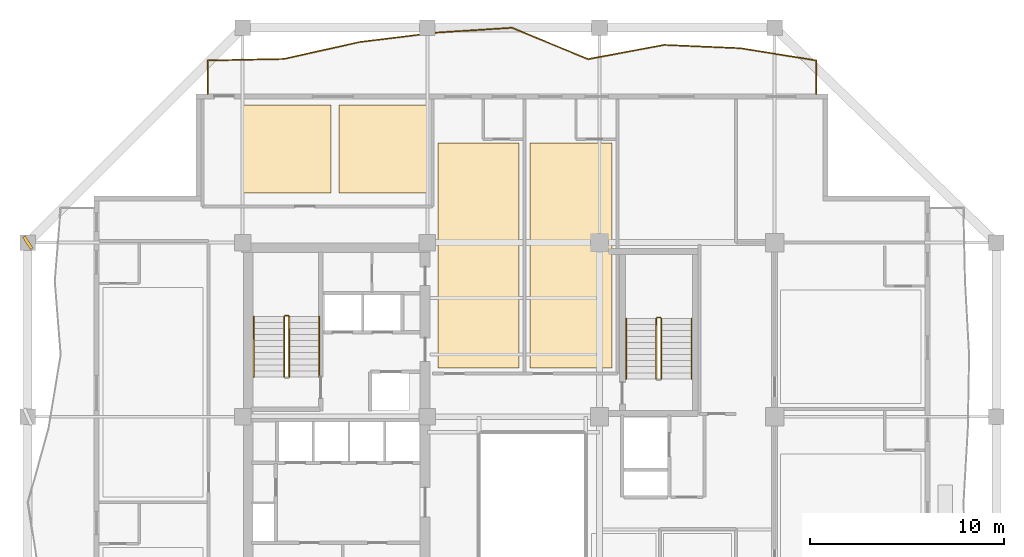
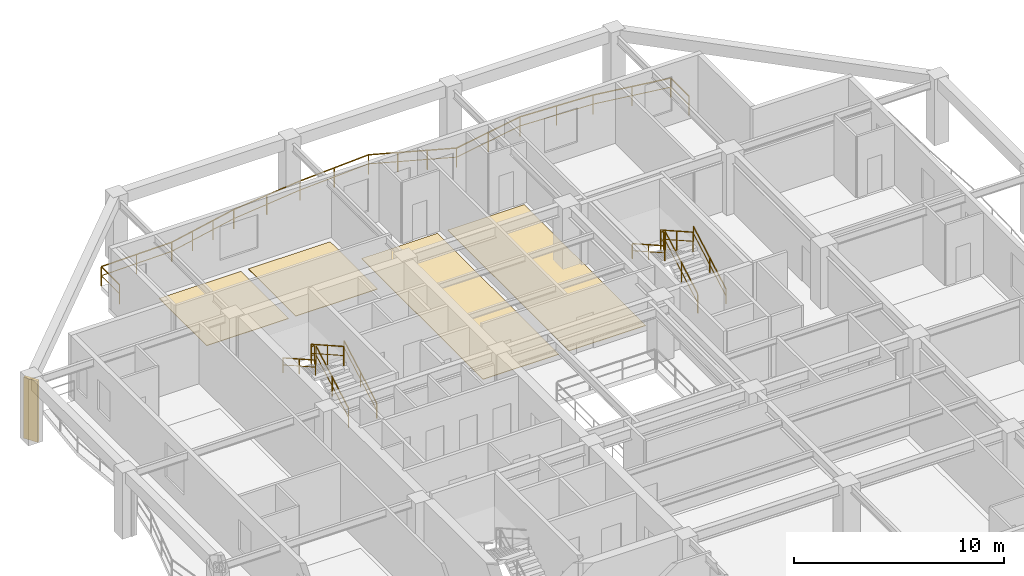
# One storey, part 10 of 12: 11 railings, 4 coverings, 1 shading device.
"""IFC4 building model written with IfcOpenShell, lengths in metres."""

import ifcopenshell
import ifcopenshell.guid

model = None  # the IFC model being written
_history = None  # IfcOwnerHistory: only IFC2X3 demands one
_inside = {}  # id of a spatial element -> (the spatial element, [elements in it])
_under = {}  # id of a project, library or spatial element -> (it, [spatial elements below it])
_declared = {}  # id of a project -> (the project, [libraries it declares])
_typed = {}  # id of a type object -> (the type object, [elements of that type])
_made_of = {}  # id of a material, layer set ... -> (it, [elements and type objects made of it])


def new_model(schema):
    """Start an empty IFC model of exactly this schema.

    Asked for "IFC4X3", IfcOpenShell would pick the latest addendum, in which some entities
    have other attributes; the version numbers below select the first issue.
    IFC2X3 requires an IfcOwnerHistory on every rooted entity: one is made here for all.
    """
    global model, _history
    if schema == "IFC4X3":
        model = ifcopenshell.file(schema_version=(4, 3, 0, 0))
    else:
        model = ifcopenshell.file(schema=schema)
    _inside.clear()
    _under.clear()
    _declared.clear()
    _typed.clear()
    _made_of.clear()
    _history = None
    if model.schema == "IFC2X3":
        org = make("IfcOrganization", Name="unknown")
        user = make(
            "IfcPersonAndOrganization",
            ThePerson=make("IfcPerson", FamilyName="unknown"),
            TheOrganization=org,
        )
        app = make(
            "IfcApplication",
            ApplicationDeveloper=org,
            Version="unknown",
            ApplicationFullName="unknown",
            ApplicationIdentifier="unknown",
        )
        _history = make(
            "IfcOwnerHistory",
            OwningUser=user,
            OwningApplication=app,
            ChangeAction="ADDED",
            CreationDate=0,
        )
    return model


def make(cls, **values):
    """One entity of the class cls with the attributes given. An attribute that is None is left unset."""
    return model.create_entity(
        cls, **{name: value for name, value in values.items() if value is not None}
    )


def rooted(cls, **values):
    """An entity with a GlobalId (a new one), such as an element, a storey or a relation."""
    return make(cls, GlobalId=ifcopenshell.guid.new(), OwnerHistory=_history, **values)


def si_unit(unit_type, name, prefix=None):
    """IfcSIUnit, for example si_unit("LENGTHUNIT", "METRE", prefix="MILLI")."""
    return make("IfcSIUnit", UnitType=unit_type, Prefix=prefix, Name=name)


def assignment(units):
    """IfcUnitAssignment: the units of a project."""
    return None if units is None else make("IfcUnitAssignment", Units=units)


def point(xyz):
    """IfcCartesianPoint."""
    return None if xyz is None else make("IfcCartesianPoint", Coordinates=xyz)


def direction(xyz):
    """IfcDirection."""
    return None if xyz is None else make("IfcDirection", DirectionRatios=xyz)


def frame(location, z_axis=None, x_axis=None):
    """IfcAxis2Placement3D, a coordinate frame: its origin and axes. An axis left out is left unset."""
    return make(
        "IfcAxis2Placement3D",
        Location=point(location),
        Axis=direction(z_axis),
        RefDirection=direction(x_axis),
    )


def frame_2d(location, x_axis=None):
    """IfcAxis2Placement2D, a coordinate frame in the plane: its origin and x axis."""
    return make(
        "IfcAxis2Placement2D", Location=point(location), RefDirection=direction(x_axis)
    )


def origin():
    """The frame at (0, 0, 0) with its axes left unset."""
    return frame((0.0, 0.0, 0.0))


def origin_2d():
    """The frame at (0, 0) in the plane with its x axis left unset."""
    return frame_2d((0.0, 0.0))


def place(relative_to, where):
    """IfcLocalPlacement: puts the frame where relative to a parent placement (None: the world)."""
    return make(
        "IfcLocalPlacement", PlacementRelTo=relative_to, RelativePlacement=where
    )


def context(
    kind, dimensions, precision=None, world=None, true_north=None, identifier=None
):
    """IfcGeometricRepresentationContext, for example the 3D "Model" context."""
    return make(
        "IfcGeometricRepresentationContext",
        ContextIdentifier=identifier,
        ContextType=kind,
        CoordinateSpaceDimension=dimensions,
        Precision=precision,
        WorldCoordinateSystem=world,
        TrueNorth=true_north,
    )


def subcontext(parent, identifier, kind, view, scale=None):
    """IfcGeometricRepresentationSubContext, for example "Body" below "Model"."""
    return make(
        "IfcGeometricRepresentationSubContext",
        ContextIdentifier=identifier,
        ContextType=kind,
        ParentContext=parent,
        TargetScale=scale,
        TargetView=view,
    )


def project(units=None, contexts=None):
    """IfcProject with its units and contexts."""
    return rooted(
        "IfcProject",
        Name="project",
        RepresentationContexts=contexts,
        UnitsInContext=assignment(units),
    )


def spatial(cls, under=None, at=None, **own):
    """A site, building, storey or space (cls), placed at a placement, below another one or the project."""
    s = rooted(cls, ObjectPlacement=at, **own)
    if under is not None:
        _under.setdefault(under.id(), (under, []))[1].append(s)
    return s


def polyline(points):
    """IfcPolyline through the points."""
    return make("IfcPolyline", Points=[point(p) for p in points])


def profile(cls, at=None, kind="AREA", **sizes):
    """A parametric profile (cls). Its sizes go by their IFC names, for example OverallWidth=200.0."""
    return make(cls, ProfileType=kind, Position=at, **sizes)


def rectangle(**sizes):
    """IfcRectangleProfileDef."""
    return profile("IfcRectangleProfileDef", **sizes)


def outline(outer, holes=None, kind="AREA"):
    """IfcArbitraryClosedProfileDef: a profile drawn as a closed curve; with holes, ...WithVoids."""
    if holes is None:
        return make("IfcArbitraryClosedProfileDef", ProfileType=kind, OuterCurve=outer)
    return make(
        "IfcArbitraryProfileDefWithVoids",
        ProfileType=kind,
        OuterCurve=outer,
        InnerCurves=holes,
    )


def extrude(swept, where, along, depth):
    """IfcExtrudedAreaSolid: the profile swept, set in the frame where, extruded along a direction by depth."""
    return make(
        "IfcExtrudedAreaSolid",
        SweptArea=swept,
        Position=where,
        ExtrudedDirection=direction(along),
        Depth=depth,
    )


def shape(context_of_items, identifier, shape_type, items):
    """IfcShapeRepresentation: the items that make up one representation, for example the "Body"."""
    return make(
        "IfcShapeRepresentation",
        ContextOfItems=context_of_items,
        RepresentationIdentifier=identifier,
        RepresentationType=shape_type,
        Items=items,
    )


def material(Name=None, Category=None):
    """IfcMaterial."""
    return make("IfcMaterial", Name=Name, Category=Category)


def layer(
    of_material, thickness, ventilated=None, Name=None, Category=None, Priority=None
):
    """IfcMaterialLayer: one layer of a wall or slab, of a material (None: an air gap)."""
    return make(
        "IfcMaterialLayer",
        Material=of_material,
        LayerThickness=thickness,
        IsVentilated=ventilated,
        Name=Name,
        Category=Category,
        Priority=Priority,
    )


def layer_set(layers, Name=None):
    """IfcMaterialLayerSet."""
    return make("IfcMaterialLayerSet", MaterialLayers=layers, LayerSetName=Name)


def made_of(thing, what):
    """Note that an element or type object is made of a material, layer set ...; save() writes the relation."""
    if what is not None:
        _made_of.setdefault(what.id(), (what, []))[1].append(thing)
    return thing


def type_object(cls, material=None, **own):
    """A type object (cls), such as IfcWallType, which elements share."""
    return made_of(rooted(cls, **own), material)


def element(
    cls,
    number,
    at=None,
    inside=None,
    cuts=None,
    type_object=None,
    material=None,
    context=None,
    identifier="Body",
    shape_type=None,
    held_by="IfcProductDefinitionShape",
    body=None,
    shapes=None,
    **own,
):
    """One element of the class cls, such as IfcWall. Its Tag is "e" and its number.

    at: its placement. inside: the storey or other place that contains it. cuts: it is an
    opening in that element (IfcRelVoidsElement). A single representation is given by context,
    identifier, shape_type and body (its items); several are given by shapes. held_by: the class
    of the entity that holds the representations. save() writes the other relations.
    """
    e = rooted(cls, Tag="e%d" % number, ObjectPlacement=at, **own)
    if body is not None:
        shapes = [shape(context, identifier, shape_type, body)]
    if shapes is not None:
        e.Representation = make(held_by, Representations=shapes)
    if inside is not None:
        _inside.setdefault(inside.id(), (inside, []))[1].append(e)
    if cuts is not None:
        rooted(
            "IfcRelVoidsElement", RelatingBuildingElement=cuts, RelatedOpeningElement=e
        )
    if type_object is not None:
        _typed.setdefault(type_object.id(), (type_object, []))[1].append(e)
    return made_of(e, material)


def aggregate(whole, parts):
    """IfcRelAggregates: a whole, such as a stair, and the parts it consists of."""
    return rooted("IfcRelAggregates", RelatingObject=whole, RelatedObjects=parts)


def save(model, path):
    """Write the relations noted so far, then the file.

    IfcRelAggregates (storeys below a building ...), IfcRelContainedInSpatialStructure (elements
    in a storey), IfcRelDefinesByType, IfcRelAssociatesMaterial and IfcRelDeclares: one each for
    every whole, place, type object, material and project.
    """
    for whole, parts in _under.values():
        aggregate(whole, parts)
    for where, things in _inside.values():
        rooted(
            "IfcRelContainedInSpatialStructure",
            RelatedElements=things,
            RelatingStructure=where,
        )
    for kind, things in _typed.values():
        rooted("IfcRelDefinesByType", RelatedObjects=things, RelatingType=kind)
    for what, things in _made_of.values():
        rooted("IfcRelAssociatesMaterial", RelatedObjects=things, RelatingMaterial=what)
    for by, libraries in _declared.values():
        rooted("IfcRelDeclares", RelatingContext=by, RelatedDefinitions=libraries)
    model.write(path)


model = new_model("IFC4")

# Units and contexts
model_context = context("Model", 3, precision=1e-05, world=origin(), true_north=direction((0.0, 1.0)))
body_context = subcontext(model_context, "Body", "Model", "MODEL_VIEW")
ifc_project = project(units=[si_unit("LENGTHUNIT", "METRE"), si_unit("AREAUNIT", "SQUARE_METRE"), si_unit("VOLUMEUNIT", "CUBIC_METRE"), si_unit("PLANEANGLEUNIT", "RADIAN"), si_unit("MASSUNIT", "GRAM", prefix="KILO")], contexts=[model_context])

# Site, building, storey
site_placement = place(None, origin())
site = spatial("IfcSite", under=ifc_project, at=site_placement, CompositionType="ELEMENT")
building_placement = place(site_placement, origin())
building = spatial("IfcBuilding", under=site, at=building_placement, Name="Kundavana Baori Tower", CompositionType="ELEMENT")
storey_placement = place(building_placement, frame((0.0, 0.0, 200.25)))
storey = spatial("IfcBuildingStorey", under=building, at=storey_placement, Name="L49", CompositionType="ELEMENT", Elevation=200.25)

# Coverings
ifc_material_1 = material(Name="Honed Kota Stone and Terrazzo Flooring", Category="masonry")
ifc_layer = layer(ifc_material_1, 0.030029296875, Name="COV-INT-FLR")
ifc_layer_set = layer_set([ifc_layer], Name="Honed Kota Stone and Terrazzo Flooring")
covering_type = type_object("IfcCoveringType", Name="COV-INT-FLR", PredefinedType="FLOORING", material=ifc_layer_set)
covering_1_placement = place(storey_placement, origin())
element("IfcCovering", 1, at=covering_1_placement, inside=storey, type_object=covering_type, Name="L49 Room Finished Stone Flooring 7", PredefinedType="FLOORING", context=body_context, shape_type="SweptSolid", body=[
    extrude(outline(polyline([(25.5, 35.5), (29.669921875, 35.5), (29.669921875, 47.070068359375), (25.5, 47.070068359375), (25.5, 35.5)])), origin(), (0.0, 0.0, 1.0), 0.030029296875),
])
covering_2_placement = place(storey_placement, origin())
element("IfcCovering", 2, at=covering_2_placement, inside=storey, type_object=covering_type, Name="L49 Room Finished Stone Flooring 8", PredefinedType="FLOORING", context=body_context, shape_type="SweptSolid", body=[
    extrude(outline(polyline([(30.22998046875, 35.5), (34.43994140625, 35.5), (34.43994140625, 47.070068359375), (30.22998046875, 47.070068359375), (30.22998046875, 35.5)])), origin(), (0.0, 0.0, 1.0), 0.030029296875),
])
covering_3_placement = place(storey_placement, origin())
element("IfcCovering", 3, at=covering_3_placement, inside=storey, type_object=covering_type, Name="L49 Room Finished Stone Flooring 11", PredefinedType="FLOORING", context=body_context, shape_type="SweptSolid", body=[
    extrude(outline(polyline([(15.5, 44.5), (20.0, 44.5), (20.0, 49.02001953125), (15.5, 49.02001953125), (15.5, 44.5)])), origin(), (0.0, 0.0, 1.0), 0.030029296875),
])
covering_4_placement = place(storey_placement, origin())
element("IfcCovering", 4, at=covering_4_placement, inside=storey, type_object=covering_type, Name="L49 Room Finished Stone Flooring 12", PredefinedType="FLOORING", context=body_context, shape_type="SweptSolid", body=[
    extrude(outline(polyline([(20.39990234375, 44.5), (24.89990234375, 44.5), (24.89990234375, 49.02001953125), (20.39990234375, 49.02001953125), (20.39990234375, 44.5)])), origin(), (0.0, 0.0, 1.0), 0.030029296875),
])

# Railings
ifc_material_2 = material(Name="Architectural Patinated Bronze Metalwork")
railing_type_1 = type_object("IfcRailingType", Name="RL-BAL-1150", PredefinedType="BALUSTRADE", material=ifc_material_2)
railing_1_placement = place(storey_placement, frame((13.64990234375, 49.60009765625, 0.0)))
element("IfcRailing", 5, at=railing_1_placement, inside=storey, type_object=railing_type_1, Name="L49 Loggia Balcony Balustrade N", PredefinedType="BALUSTRADE", context=body_context, shape_type="SweptSolid", body=[
    extrude(rectangle(XDim=0.048095703125, YDim=0.048095703125, at=origin_2d()), frame((0.0, 0.0, 1.1259765625), z_axis=(0.0, 1.0, 0.0), x_axis=(-1.0, 0.0, 0.0)), (0.0, 0.0, 1.0), 1.719970703125),
    extrude(rectangle(XDim=0.03125, YDim=0.03125, at=origin_2d()), frame((0.0, 0.0, 0.597900390625), z_axis=(0.0, 1.0, 0.0), x_axis=(-1.0, 0.0, 0.0)), (0.0, 0.0, 1.0), 1.719970703125),
    extrude(rectangle(XDim=0.048095703125, YDim=0.048095703125, at=origin_2d()), frame((0.0, 1.719970703125, 1.1259765625), z_axis=(0.999801901844, 0.019903694876, 0.0), x_axis=(-0.019903694876, 0.999801901844, 0.0)), (0.0, 0.0, 1.0), 3.912841796875),
    extrude(rectangle(XDim=0.03125, YDim=0.03125, at=origin_2d()), frame((0.0, 1.719970703125, 0.597900390625), z_axis=(0.999801901844, 0.019903694876, 0.0), x_axis=(-0.019903694876, 0.999801901844, 0.0)), (0.0, 0.0, 1.0), 3.912841796875),
    extrude(rectangle(XDim=0.048095703125, YDim=0.048095703125, at=origin_2d()), frame((3.912109375, 1.7978515625, 1.1259765625), z_axis=(0.976055056129, 0.217523624937, 0.0), x_axis=(-0.217523624937, 0.976055056129, 0.0)), (0.0, 0.0, 1.0), 4.009033203125),
    extrude(rectangle(XDim=0.03125, YDim=0.03125, at=origin_2d()), frame((3.912109375, 1.7978515625, 0.597900390625), z_axis=(0.976055056129, 0.217523624937, 0.0), x_axis=(-0.217523624937, 0.976055056129, 0.0)), (0.0, 0.0, 1.0), 4.009033203125),
    extrude(rectangle(XDim=0.048095703125, YDim=0.048095703125, at=origin_2d()), frame((7.8251953125, 2.669921875, 1.1259765625), z_axis=(0.99259004777, 0.121511304282, 0.0), x_axis=(-0.121511304282, 0.99259004777, 0.0)), (0.0, 0.0, 1.0), 3.942138671875),
    extrude(rectangle(XDim=0.03125, YDim=0.03125, at=origin_2d()), frame((7.8251953125, 2.669921875, 0.597900390625), z_axis=(0.99259004777, 0.121511304282, 0.0), x_axis=(-0.121511304282, 0.99259004777, 0.0)), (0.0, 0.0, 1.0), 3.942138671875),
    extrude(rectangle(XDim=0.048095703125, YDim=0.048095703125, at=origin_2d()), frame((11.738037109375, 3.14892578125, 1.1259765625), z_axis=(0.99794847737, 0.064022156436, 0.0), x_axis=(-0.064022156436, 0.99794847737, 0.0)), (0.0, 0.0, 1.0), 3.920166015625),
    extrude(rectangle(XDim=0.03125, YDim=0.03125, at=origin_2d()), frame((11.738037109375, 3.14892578125, 0.597900390625), z_axis=(0.99794847737, 0.064022156436, 0.0), x_axis=(-0.064022156436, 0.99794847737, 0.0)), (0.0, 0.0, 1.0), 3.920166015625),
    extrude(rectangle(XDim=0.048095703125, YDim=0.048095703125, at=origin_2d()), frame((15.650146484375, 3.39990234375, 1.1259765625), z_axis=(0.92468526757, -0.380732394128, 0.0), x_axis=(0.380732394128, 0.92468526757, 0.0)), (0.0, 0.0, 1.0), 4.2314453125),
    extrude(rectangle(XDim=0.03125, YDim=0.03125, at=origin_2d()), frame((15.650146484375, 3.39990234375, 0.597900390625), z_axis=(0.92468526757, -0.380732394128, 0.0), x_axis=(0.380732394128, 0.92468526757, 0.0)), (0.0, 0.0, 1.0), 4.2314453125),
    extrude(rectangle(XDim=0.048095703125, YDim=0.048095703125, at=origin_2d()), frame((19.56298828125, 1.788818359375, 1.1259765625), z_axis=(0.982977583821, 0.183725528179, 0.0), x_axis=(-0.183725528179, 0.982977583821, 0.0)), (0.0, 0.0, 1.0), 3.979736328125),
    extrude(rectangle(XDim=0.03125, YDim=0.03125, at=origin_2d()), frame((19.56298828125, 1.788818359375, 0.597900390625), z_axis=(0.982977583821, 0.183725528179, 0.0), x_axis=(-0.183725528179, 0.982977583821, 0.0)), (0.0, 0.0, 1.0), 3.979736328125),
    extrude(rectangle(XDim=0.048095703125, YDim=0.048095703125, at=origin_2d()), frame((23.47509765625, 2.52001953125, 1.1259765625), z_axis=(0.9990558055, -0.043445339184, 0.0), x_axis=(0.043445339184, 0.9990558055, 0.0)), (0.0, 0.0, 1.0), 3.916748046875),
    extrude(rectangle(XDim=0.03125, YDim=0.03125, at=origin_2d()), frame((23.47509765625, 2.52001953125, 0.597900390625), z_axis=(0.9990558055, -0.043445339184, 0.0), x_axis=(0.043445339184, 0.9990558055, 0.0)), (0.0, 0.0, 1.0), 3.916748046875),
    extrude(rectangle(XDim=0.048095703125, YDim=0.048095703125, at=origin_2d()), frame((27.38818359375, 2.349853515625, 1.1259765625), z_axis=(0.987283267843, -0.158970906262, 0.0), x_axis=(0.158970906262, 0.987283267843, 0.0)), (0.0, 0.0, 1.0), 3.962158203125),
    extrude(rectangle(XDim=0.03125, YDim=0.03125, at=origin_2d()), frame((27.38818359375, 2.349853515625, 0.597900390625), z_axis=(0.987283267843, -0.158970906262, 0.0), x_axis=(0.158970906262, 0.987283267843, 0.0)), (0.0, 0.0, 1.0), 3.962158203125),
    extrude(rectangle(XDim=0.048095703125, YDim=0.048095703125, at=origin_2d()), frame((31.300048828125, 1.719970703125, 1.1259765625), z_axis=(0.0, -1.0, 0.0), x_axis=(1.0, 0.0, 0.0)), (0.0, 0.0, 1.0), 1.719970703125),
    extrude(rectangle(XDim=0.03125, YDim=0.03125, at=origin_2d()), frame((31.300048828125, 1.719970703125, 0.597900390625), z_axis=(0.0, -1.0, 0.0), x_axis=(1.0, 0.0, 0.0)), (0.0, 0.0, 1.0), 1.719970703125),
    extrude(rectangle(XDim=0.0419921875, YDim=0.0419921875, at=origin_2d()), origin(), (0.0, 0.0, 1.0), 1.101806640625),
    extrude(rectangle(XDim=0.0419921875, YDim=0.0419921875, at=origin_2d()), frame((0.0, 1.719970703125, 0.0)), (0.0, 0.0, 1.0), 1.101806640625),
    extrude(rectangle(XDim=0.0419921875, YDim=0.0419921875, at=origin_2d()), frame((1.9560546875, 1.7587890625, 0.0)), (0.0, 0.0, 1.0), 1.101806640625),
    extrude(rectangle(XDim=0.0419921875, YDim=0.0419921875, at=origin_2d()), frame((3.912109375, 1.7978515625, 0.0)), (0.0, 0.0, 1.0), 1.101806640625),
    extrude(rectangle(XDim=0.0419921875, YDim=0.0419921875, at=origin_2d()), frame((5.216552734375, 2.088623046875, 0.0)), (0.0, 0.0, 1.0), 1.101806640625),
    extrude(rectangle(XDim=0.0419921875, YDim=0.0419921875, at=origin_2d()), frame((6.520751953125, 2.379150390625, 0.0)), (0.0, 0.0, 1.0), 1.101806640625),
    extrude(rectangle(XDim=0.0419921875, YDim=0.0419921875, at=origin_2d()), frame((7.8251953125, 2.669921875, 0.0)), (0.0, 0.0, 1.0), 1.101806640625),
    extrude(rectangle(XDim=0.0419921875, YDim=0.0419921875, at=origin_2d()), frame((9.78173828125, 2.909423828125, 0.0)), (0.0, 0.0, 1.0), 1.101806640625),
    extrude(rectangle(XDim=0.0419921875, YDim=0.0419921875, at=origin_2d()), frame((11.738037109375, 3.14892578125, 0.0)), (0.0, 0.0, 1.0), 1.101806640625),
    extrude(rectangle(XDim=0.0419921875, YDim=0.0419921875, at=origin_2d()), frame((13.694091796875, 3.2744140625, 0.0)), (0.0, 0.0, 1.0), 1.101806640625),
    extrude(rectangle(XDim=0.0419921875, YDim=0.0419921875, at=origin_2d()), frame((15.650146484375, 3.39990234375, 0.0)), (0.0, 0.0, 1.0), 1.101806640625),
    extrude(rectangle(XDim=0.0419921875, YDim=0.0419921875, at=origin_2d()), frame((16.954345703125, 2.86279296875, 0.0)), (0.0, 0.0, 1.0), 1.101806640625),
    extrude(rectangle(XDim=0.0419921875, YDim=0.0419921875, at=origin_2d()), frame((18.2587890625, 2.325927734375, 0.0)), (0.0, 0.0, 1.0), 1.101806640625),
    extrude(rectangle(XDim=0.0419921875, YDim=0.0419921875, at=origin_2d()), frame((19.56298828125, 1.788818359375, 0.0)), (0.0, 0.0, 1.0), 1.101806640625),
    extrude(rectangle(XDim=0.0419921875, YDim=0.0419921875, at=origin_2d()), frame((21.51904296875, 2.154296875, 0.0)), (0.0, 0.0, 1.0), 1.101806640625),
    extrude(rectangle(XDim=0.0419921875, YDim=0.0419921875, at=origin_2d()), frame((23.47509765625, 2.52001953125, 0.0)), (0.0, 0.0, 1.0), 1.101806640625),
    extrude(rectangle(XDim=0.0419921875, YDim=0.0419921875, at=origin_2d()), frame((25.431640625, 2.43505859375, 0.0)), (0.0, 0.0, 1.0), 1.101806640625),
    extrude(rectangle(XDim=0.0419921875, YDim=0.0419921875, at=origin_2d()), frame((27.38818359375, 2.349853515625, 0.0)), (0.0, 0.0, 1.0), 1.101806640625),
    extrude(rectangle(XDim=0.0419921875, YDim=0.0419921875, at=origin_2d()), frame((29.34423828125, 2.034912109375, 0.0)), (0.0, 0.0, 1.0), 1.101806640625),
    extrude(rectangle(XDim=0.0419921875, YDim=0.0419921875, at=origin_2d()), frame((31.300048828125, 1.719970703125, 0.0)), (0.0, 0.0, 1.0), 1.101806640625),
    extrude(rectangle(XDim=0.0419921875, YDim=0.0419921875, at=origin_2d()), frame((31.300048828125, 0.0, 0.0)), (0.0, 0.0, 1.0), 1.101806640625),
])
ifc_material_3 = material(Name="Architectural Patinated Bronze Metalwork")
railing_type_2 = type_object("IfcRailingType", Name="RL-GRD-1150", PredefinedType="GUARDRAIL", material=ifc_material_3)
railing_2_placement = place(storey_placement, frame((17.840087890625, 35.050048828125, 0.175048828125)))
element("IfcRailing", 6, at=railing_2_placement, inside=storey, type_object=railing_type_2, Name="L49 ST2 stair guard 1", PredefinedType="GUARDRAIL", context=body_context, shape_type="SweptSolid", body=[
    extrude(rectangle(XDim=0.048095703125, YDim=0.048095703125, at=origin_2d()), frame((0.0, 0.0, 1.1259765625), z_axis=(0.0, 0.870814364268, 0.491611984175), x_axis=(-1.0, 0.0, 0.0)), (0.0, 0.0, 1.0), 3.559814453125),
    extrude(rectangle(XDim=0.03125, YDim=0.03125, at=origin_2d()), frame((0.0, 0.0, 0.597900390625), z_axis=(0.0, 0.870814364268, 0.491611984175), x_axis=(-1.0, 0.0, 0.0)), (0.0, 0.0, 1.0), 3.559814453125),
    extrude(rectangle(XDim=0.0419921875, YDim=0.0419921875, at=origin_2d()), origin(), (0.0, 0.0, 1.0), 1.101806640625),
    extrude(rectangle(XDim=0.0419921875, YDim=0.0419921875, at=origin_2d()), frame((0.0, 1.5498046875, 0.875)), (0.0, 0.0, 1.0), 1.101806640625),
    extrude(rectangle(XDim=0.0419921875, YDim=0.0419921875, at=origin_2d()), frame((0.0, 3.099853515625, 1.75)), (0.0, 0.0, 1.0), 1.101806640625),
])
railing_3_placement = place(storey_placement, frame((17.7900390625, 38.199951171875, 1.925048828125)))
element("IfcRailing", 7, at=railing_3_placement, inside=storey, type_object=railing_type_2, Name="L49 ST2 stair guard 2", PredefinedType="GUARDRAIL", context=body_context, shape_type="SweptSolid", body=[
    extrude(rectangle(XDim=0.048095703125, YDim=0.048095703125, at=origin_2d()), frame((0.0, 0.0, 1.1259765625), z_axis=(-1.0, 0.0, 0.0), x_axis=(0.0, -1.0, 0.0)), (0.0, 0.0, 1.0), 0.16015625),
    extrude(rectangle(XDim=0.03125, YDim=0.03125, at=origin_2d()), frame((0.0, 0.0, 0.597900390625), z_axis=(-1.0, 0.0, 0.0), x_axis=(0.0, -1.0, 0.0)), (0.0, 0.0, 1.0), 0.16015625),
    extrude(rectangle(XDim=0.0419921875, YDim=0.0419921875, at=origin_2d()), origin(), (0.0, 0.0, 1.0), 1.101806640625),
    extrude(rectangle(XDim=0.0419921875, YDim=0.0419921875, at=origin_2d()), frame((-0.16015625, 0.0, 0.0)), (0.0, 0.0, 1.0), 1.101806640625),
])
railing_4_placement = place(storey_placement, frame((17.580078125, 38.14990234375, 2.10009765625)))
element("IfcRailing", 8, at=railing_4_placement, inside=storey, type_object=railing_type_2, Name="L49 ST2 stair guard 3", PredefinedType="GUARDRAIL", context=body_context, shape_type="SweptSolid", body=[
    extrude(rectangle(XDim=0.048095703125, YDim=0.048095703125, at=origin_2d()), frame((0.0, 0.0, 1.1259765625), z_axis=(0.0, -0.870814364268, 0.491611984175), x_axis=(1.0, 0.0, 0.0)), (0.0, 0.0, 1.0), 3.559814453125),
    extrude(rectangle(XDim=0.03125, YDim=0.03125, at=origin_2d()), frame((0.0, 0.0, 0.597900390625), z_axis=(0.0, -0.870814364268, 0.491611984175), x_axis=(1.0, 0.0, 0.0)), (0.0, 0.0, 1.0), 3.559814453125),
    extrude(rectangle(XDim=0.0419921875, YDim=0.0419921875, at=origin_2d()), origin(), (0.0, 0.0, 1.0), 1.101806640625),
    extrude(rectangle(XDim=0.0419921875, YDim=0.0419921875, at=origin_2d()), frame((0.0, -1.5498046875, 0.875)), (0.0, 0.0, 1.0), 1.101806640625),
    extrude(rectangle(XDim=0.0419921875, YDim=0.0419921875, at=origin_2d()), frame((0.0, -3.099853515625, 1.75)), (0.0, 0.0, 1.0), 1.101806640625),
])
railing_5_placement = place(storey_placement, frame((36.97998046875, 34.949951171875, 0.175048828125)))
element("IfcRailing", 9, at=railing_5_placement, inside=storey, type_object=railing_type_2, Name="L49 ST3 stair guard 1", PredefinedType="GUARDRAIL", context=body_context, shape_type="SweptSolid", body=[
    extrude(rectangle(XDim=0.048095703125, YDim=0.048095703125, at=origin_2d()), frame((0.0, 0.0, 1.1259765625), z_axis=(0.0, 0.870830938388, 0.491582624537), x_axis=(-1.0, 0.0, 0.0)), (0.0, 0.0, 1.0), 3.559814453125),
    extrude(rectangle(XDim=0.03125, YDim=0.03125, at=origin_2d()), frame((0.0, 0.0, 0.597900390625), z_axis=(0.0, 0.870830938388, 0.491582624537), x_axis=(-1.0, 0.0, 0.0)), (0.0, 0.0, 1.0), 3.559814453125),
    extrude(rectangle(XDim=0.0419921875, YDim=0.0419921875, at=origin_2d()), origin(), (0.0, 0.0, 1.0), 1.101806640625),
    extrude(rectangle(XDim=0.0419921875, YDim=0.0419921875, at=origin_2d()), frame((0.0, 1.550048828125, 0.875)), (0.0, 0.0, 1.0), 1.101806640625),
    extrude(rectangle(XDim=0.0419921875, YDim=0.0419921875, at=origin_2d()), frame((0.0, 3.10009765625, 1.75)), (0.0, 0.0, 1.0), 1.101806640625),
])
railing_6_placement = place(storey_placement, frame((36.929931640625, 38.10009765625, 1.925048828125)))
element("IfcRailing", 10, at=railing_6_placement, inside=storey, type_object=railing_type_2, Name="L49 ST3 stair guard 2", PredefinedType="GUARDRAIL", context=body_context, shape_type="SweptSolid", body=[
    extrude(rectangle(XDim=0.048095703125, YDim=0.048095703125, at=origin_2d()), frame((0.0, 0.0, 1.1259765625), z_axis=(-1.0, 0.0, 0.0), x_axis=(0.0, -1.0, 0.0)), (0.0, 0.0, 1.0), 0.159912109375),
    extrude(rectangle(XDim=0.03125, YDim=0.03125, at=origin_2d()), frame((0.0, 0.0, 0.597900390625), z_axis=(-1.0, 0.0, 0.0), x_axis=(0.0, -1.0, 0.0)), (0.0, 0.0, 1.0), 0.159912109375),
    extrude(rectangle(XDim=0.0419921875, YDim=0.0419921875, at=origin_2d()), origin(), (0.0, 0.0, 1.0), 1.101806640625),
    extrude(rectangle(XDim=0.0419921875, YDim=0.0419921875, at=origin_2d()), frame((-0.159912109375, 0.0, 0.0)), (0.0, 0.0, 1.0), 1.101806640625),
])
railing_7_placement = place(storey_placement, frame((36.719970703125, 38.050048828125, 2.10009765625)))
element("IfcRailing", 11, at=railing_7_placement, inside=storey, type_object=railing_type_2, Name="L49 ST3 stair guard 3", PredefinedType="GUARDRAIL", context=body_context, shape_type="SweptSolid", body=[
    extrude(rectangle(XDim=0.048095703125, YDim=0.048095703125, at=origin_2d()), frame((0.0, 0.0, 1.1259765625), z_axis=(0.0, -0.870830938388, 0.491582624537), x_axis=(1.0, 0.0, 0.0)), (0.0, 0.0, 1.0), 3.559814453125),
    extrude(rectangle(XDim=0.03125, YDim=0.03125, at=origin_2d()), frame((0.0, 0.0, 0.597900390625), z_axis=(0.0, -0.870830938388, 0.491582624537), x_axis=(1.0, 0.0, 0.0)), (0.0, 0.0, 1.0), 3.559814453125),
    extrude(rectangle(XDim=0.0419921875, YDim=0.0419921875, at=origin_2d()), origin(), (0.0, 0.0, 1.0), 1.101806640625),
    extrude(rectangle(XDim=0.0419921875, YDim=0.0419921875, at=origin_2d()), frame((0.0, -1.550048828125, 0.875)), (0.0, 0.0, 1.0), 1.101806640625),
    extrude(rectangle(XDim=0.0419921875, YDim=0.0419921875, at=origin_2d()), frame((0.0, -3.10009765625, 1.75)), (0.0, 0.0, 1.0), 1.101806640625),
])
ifc_material_4 = material(Name="Architectural Patinated Bronze Metalwork")
railing_type_3 = type_object("IfcRailingType", Name="RL-HND-920", PredefinedType="HANDRAIL", material=ifc_material_4)
railing_8_placement = place(storey_placement, frame((19.389892578125, 35.050048828125, 0.175048828125)))
element("IfcRailing", 12, at=railing_8_placement, inside=storey, type_object=railing_type_3, Name="L49 ST2 stair handrail 1", PredefinedType="HANDRAIL", context=body_context, shape_type="SweptSolid", body=[
    extrude(rectangle(XDim=0.048095703125, YDim=0.048095703125, at=origin_2d()), frame((0.0, 0.0, 0.8759765625), z_axis=(0.0, 0.870814364268, 0.491611984175), x_axis=(-1.0, 0.0, 0.0)), (0.0, 0.0, 1.0), 3.559814453125),
    extrude(rectangle(XDim=0.03125, YDim=0.03125, at=origin_2d()), frame((0.0, 0.0, 0.468017578125), z_axis=(0.0, 0.870814364268, 0.491611984175), x_axis=(-1.0, 0.0, 0.0)), (0.0, 0.0, 1.0), 3.559814453125),
    extrude(rectangle(XDim=0.0419921875, YDim=0.0419921875, at=origin_2d()), origin(), (0.0, 0.0, 1.0), 0.851806640625),
    extrude(rectangle(XDim=0.0419921875, YDim=0.0419921875, at=origin_2d()), frame((0.0, 1.5498046875, 0.875)), (0.0, 0.0, 1.0), 0.851806640625),
    extrude(rectangle(XDim=0.0419921875, YDim=0.0419921875, at=origin_2d()), frame((0.0, 3.099853515625, 1.75)), (0.0, 0.0, 1.0), 0.851806640625),
])
railing_9_placement = place(storey_placement, frame((16.030029296875, 38.14990234375, 2.10009765625)))
element("IfcRailing", 13, at=railing_9_placement, inside=storey, type_object=railing_type_3, Name="L49 ST2 stair handrail 2", PredefinedType="HANDRAIL", context=body_context, shape_type="SweptSolid", body=[
    extrude(rectangle(XDim=0.048095703125, YDim=0.048095703125, at=origin_2d()), frame((0.0, 0.0, 0.8759765625), z_axis=(0.0, -0.870814364268, 0.491611984175), x_axis=(1.0, 0.0, 0.0)), (0.0, 0.0, 1.0), 3.559814453125),
    extrude(rectangle(XDim=0.03125, YDim=0.03125, at=origin_2d()), frame((0.0, 0.0, 0.468017578125), z_axis=(0.0, -0.870814364268, 0.491611984175), x_axis=(1.0, 0.0, 0.0)), (0.0, 0.0, 1.0), 3.559814453125),
    extrude(rectangle(XDim=0.0419921875, YDim=0.0419921875, at=origin_2d()), origin(), (0.0, 0.0, 1.0), 0.851806640625),
    extrude(rectangle(XDim=0.0419921875, YDim=0.0419921875, at=origin_2d()), frame((0.0, -1.5498046875, 0.875)), (0.0, 0.0, 1.0), 0.851806640625),
    extrude(rectangle(XDim=0.0419921875, YDim=0.0419921875, at=origin_2d()), frame((0.0, -3.099853515625, 1.75)), (0.0, 0.0, 1.0), 0.851806640625),
])
railing_10_placement = place(storey_placement, frame((38.530029296875, 34.949951171875, 0.175048828125)))
element("IfcRailing", 14, at=railing_10_placement, inside=storey, type_object=railing_type_3, Name="L49 ST3 stair handrail 1", PredefinedType="HANDRAIL", context=body_context, shape_type="SweptSolid", body=[
    extrude(rectangle(XDim=0.048095703125, YDim=0.048095703125, at=origin_2d()), frame((0.0, 0.0, 0.8759765625), z_axis=(0.0, 0.870830938388, 0.491582624537), x_axis=(-1.0, 0.0, 0.0)), (0.0, 0.0, 1.0), 3.559814453125),
    extrude(rectangle(XDim=0.03125, YDim=0.03125, at=origin_2d()), frame((0.0, 0.0, 0.468017578125), z_axis=(0.0, 0.870830938388, 0.491582624537), x_axis=(-1.0, 0.0, 0.0)), (0.0, 0.0, 1.0), 3.559814453125),
    extrude(rectangle(XDim=0.0419921875, YDim=0.0419921875, at=origin_2d()), origin(), (0.0, 0.0, 1.0), 0.851806640625),
    extrude(rectangle(XDim=0.0419921875, YDim=0.0419921875, at=origin_2d()), frame((0.0, 1.550048828125, 0.875)), (0.0, 0.0, 1.0), 0.851806640625),
    extrude(rectangle(XDim=0.0419921875, YDim=0.0419921875, at=origin_2d()), frame((0.0, 3.10009765625, 1.75)), (0.0, 0.0, 1.0), 0.851806640625),
])
railing_11_placement = place(storey_placement, frame((35.169921875, 38.050048828125, 2.10009765625)))
element("IfcRailing", 15, at=railing_11_placement, inside=storey, type_object=railing_type_3, Name="L49 ST3 stair handrail 2", PredefinedType="HANDRAIL", context=body_context, shape_type="SweptSolid", body=[
    extrude(rectangle(XDim=0.048095703125, YDim=0.048095703125, at=origin_2d()), frame((0.0, 0.0, 0.8759765625), z_axis=(0.0, -0.870830938388, 0.491582624537), x_axis=(1.0, 0.0, 0.0)), (0.0, 0.0, 1.0), 3.559814453125),
    extrude(rectangle(XDim=0.03125, YDim=0.03125, at=origin_2d()), frame((0.0, 0.0, 0.468017578125), z_axis=(0.0, -0.870830938388, 0.491582624537), x_axis=(1.0, 0.0, 0.0)), (0.0, 0.0, 1.0), 3.559814453125),
    extrude(rectangle(XDim=0.0419921875, YDim=0.0419921875, at=origin_2d()), origin(), (0.0, 0.0, 1.0), 0.851806640625),
    extrude(rectangle(XDim=0.0419921875, YDim=0.0419921875, at=origin_2d()), frame((0.0, -1.550048828125, 0.875)), (0.0, 0.0, 1.0), 0.851806640625),
    extrude(rectangle(XDim=0.0419921875, YDim=0.0419921875, at=origin_2d()), frame((0.0, -3.10009765625, 1.75)), (0.0, 0.0, 1.0), 0.851806640625),
])

# Shading device
ifc_material_5 = material(Name="Red-Buff Dholpur Sandstone Cladding on Concrete C40/50", Category="masonry")
shading_device_type = type_object("IfcShadingDeviceType", Name="SHD-FIN-750", PredefinedType="JALOUSIE", material=ifc_material_5)
shading_device_placement = place(storey_placement, frame((4.39990234375, 41.949951171875, 0.0), z_axis=(0.0, 0.0, 1.0), x_axis=(0.846472063486, 0.53243313734, 0.0)))
element("IfcShadingDevice", 16, at=shading_device_placement, inside=storey, type_object=shading_device_type, Name="L49 Sweeping Dholpur Sandstone Facade Fin 8", PredefinedType="JALOUSIE", context=body_context, shape_type="SweptSolid", body=[
    extrude(rectangle(XDim=0.159912109375, YDim=0.75, at=origin_2d()), origin(), (0.0, 0.0, 1.0), 3.550048828125),
])

save(model, "model.ifc")
